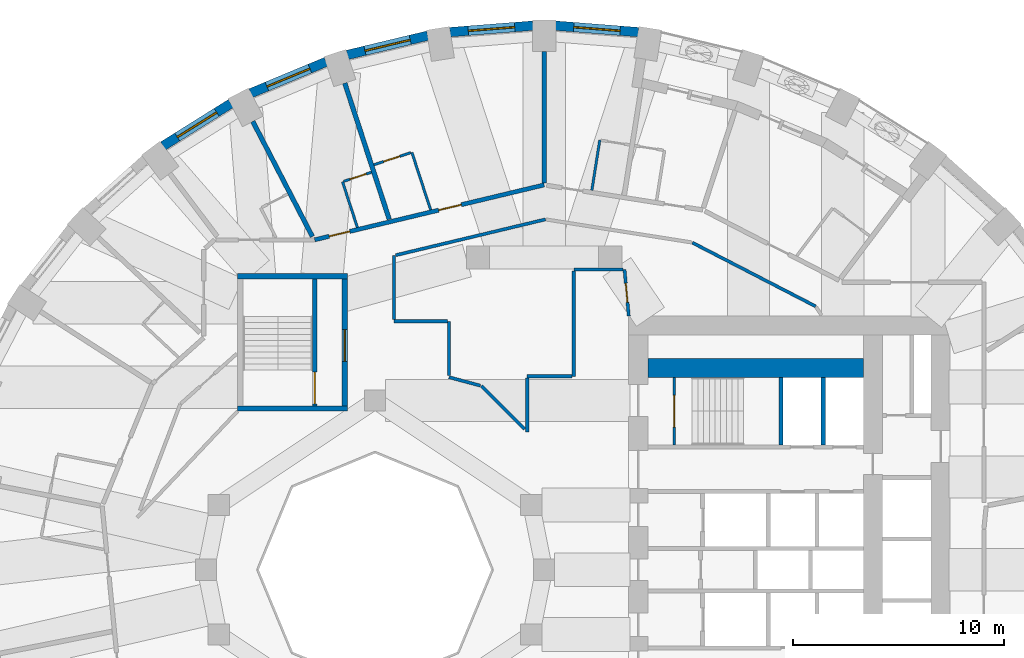
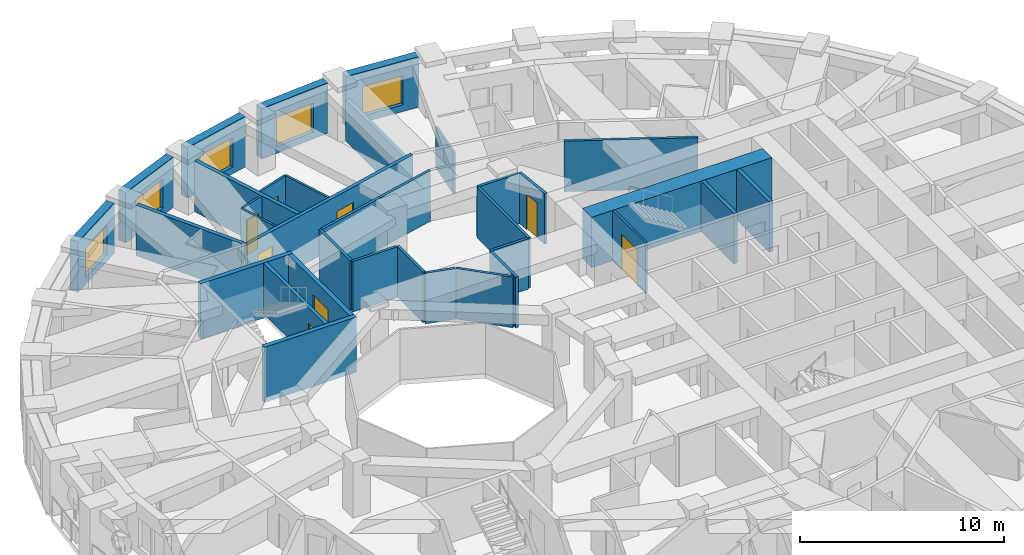
# One storey, part 8 of 13: 34 walls, 8 doors, 5 windows, 13 openings.
"""IFC4 building model written with IfcOpenShell, lengths in metres."""

from ifc_helpers import new_model, si_unit, direction, frame, frame_2d, origin, place, context, subcontext, project, spatial, rectangle, extrude, material, layer, layer_set, type_object, element, fill, save


model = new_model("IFC4")

# Units and contexts
model_context = context("Model", 3, precision=1e-05, world=origin(), true_north=direction((0.0, 1.0)))
body_context = subcontext(model_context, "Body", "Model", "MODEL_VIEW")
ifc_project = project(units=[si_unit("LENGTHUNIT", "METRE"), si_unit("AREAUNIT", "SQUARE_METRE"), si_unit("VOLUMEUNIT", "CUBIC_METRE"), si_unit("PLANEANGLEUNIT", "RADIAN"), si_unit("MASSUNIT", "GRAM", prefix="KILO")], contexts=[model_context])

# Site, building, storey
site_placement = place(None, origin())
site = spatial("IfcSite", under=ifc_project, at=site_placement, CompositionType="ELEMENT")
building_placement = place(site_placement, origin())
building = spatial("IfcBuilding", under=site, at=building_placement, Name="Taillehof Tower", CompositionType="ELEMENT")
storey_placement = place(building_placement, frame((0.0, 0.0, 64.60009765625)))
storey = spatial("IfcBuildingStorey", under=building, at=storey_placement, Name="L17", CompositionType="ELEMENT", Elevation=64.60009765625)

# Wall, opening, window
ifc_material_1 = material(Name="Brick masonry", Category="masonry")
ifc_layer_1 = layer(ifc_material_1, 0.449951171875)
ifc_layer_set_1 = layer_set([ifc_layer_1], Name="Brick infill wall 450")
wall_type_1 = type_object("IfcWallType", Name="Brick infill wall 450", PredefinedType="SOLIDWALL", material=ifc_layer_set_1)
wall_1_placement = place(storey_placement, frame((4.457275390625, 25.42578125, 0.0), z_axis=(0.0, 0.0, 1.0), x_axis=(-0.996955972145, 0.077966592873, 0.0)))
wall_1 = element("IfcWall", 1, at=wall_1_placement, inside=storey, type_object=wall_type_1, Name="Brick wall L17 bay 9", PredefinedType="SOLIDWALL", context=body_context, shape_type="SweptSolid", body=[
    extrude(rectangle(XDim=3.939208984375, YDim=0.449951171875, at=frame_2d((1.9697265625, 0.0))), origin(), (0.0, 0.0, 1.0), 3.02001953125),
])
opening_1_placement = place(wall_1_placement, frame((0.86962890625, 0.0, 0.39990234375)))
opening_1 = element("IfcOpeningElement", 2, at=opening_1_placement, cuts=wall_1, Name="Opening W1", PredefinedType="OPENING", context=body_context, shape_type="SweptSolid", body=[
    extrude(rectangle(XDim=2.199951171875, YDim=1.75, at=frame_2d((1.10009765625, 0.875))), frame((0.0, 0.23486328125, 0.0), z_axis=(0.0, -1.0, 0.0), x_axis=(1.0, 0.0, 0.0)), (0.0, 0.0, 1.0), 0.469970703125),
])
ifc_material_2 = material(Name="Aluminium window frame with clear double glazing", Category="aluminium")
window_type = type_object("IfcWindowType", Name="Deep-set window 2200x1750", PartitioningType="SINGLE_PANEL", PredefinedType="WINDOW", material=ifc_material_2)
window_1_placement = place(opening_1_placement, origin())
window_1 = element("IfcWindow", 3, at=window_1_placement, inside=storey, type_object=window_type, Name="W1", OverallHeight=1.75, OverallWidth=2.199951171875, PartitioningType="SINGLE_PANEL", PredefinedType="WINDOW", context=body_context, shape_type="SweptSolid", body=[
    extrude(rectangle(XDim=2.199951171875, YDim=1.75, at=frame_2d((1.10009765625, 0.875))), frame((0.0, 0.034912109375, 0.0), z_axis=(0.0, -1.0, 0.0), x_axis=(1.0, 0.0, 0.0)), (0.0, 0.0, 1.0), 0.06005859375),
])
fill(opening_1, window_1)

wall_2_placement = place(storey_placement, frame((-0.530029296875, 25.73291015625, 0.0), z_axis=(0.0, 0.0, 1.0), x_axis=(-0.996955972145, -0.077966592873, 0.0)))
wall_2 = element("IfcWall", 4, at=wall_2_placement, inside=storey, type_object=wall_type_1, Name="Brick wall L17 bay 10", PredefinedType="SOLIDWALL", context=body_context, shape_type="SweptSolid", body=[
    extrude(rectangle(XDim=3.939208984375, YDim=0.449951171875, at=frame_2d((1.9697265625, 0.0))), origin(), (0.0, 0.0, 1.0), 3.02001953125),
])
opening_2_placement = place(wall_2_placement, frame((0.86962890625, 0.0, 0.39990234375)))
opening_2 = element("IfcOpeningElement", 5, at=opening_2_placement, cuts=wall_2, Name="Opening W1", PredefinedType="OPENING", context=body_context, shape_type="SweptSolid", body=[
    extrude(rectangle(XDim=2.199951171875, YDim=1.75, at=frame_2d((1.10009765625, 0.875))), frame((0.0, 0.23486328125, 0.0), z_axis=(0.0, -1.0, 0.0), x_axis=(1.0, 0.0, 0.0)), (0.0, 0.0, 1.0), 0.469970703125),
])
window_2_placement = place(opening_2_placement, origin())
window_2 = element("IfcWindow", 6, at=window_2_placement, inside=storey, type_object=window_type, Name="W1", OverallHeight=1.75, OverallWidth=2.199951171875, PartitioningType="SINGLE_PANEL", PredefinedType="WINDOW", context=body_context, shape_type="SweptSolid", body=[
    extrude(rectangle(XDim=2.199951171875, YDim=1.75, at=frame_2d((1.10009765625, 0.875))), frame((0.0, 0.034912109375, 0.0), z_axis=(0.0, -1.0, 0.0), x_axis=(1.0, 0.0, 0.0)), (0.0, 0.0, 1.0), 0.06005859375),
])
fill(opening_2, window_2)

wall_3_placement = place(storey_placement, frame((-5.50439453125, 25.260498046875, 0.0), z_axis=(0.0, 0.0, 1.0), x_axis=(-0.972496561493, -0.232917233979, 0.0)))
wall_3 = element("IfcWall", 7, at=wall_3_placement, inside=storey, type_object=wall_type_1, Name="Brick wall L17 bay 11", PredefinedType="SOLIDWALL", context=body_context, shape_type="SweptSolid", body=[
    extrude(rectangle(XDim=3.910888671875, YDim=0.449951171875, at=frame_2d((1.95556640625, 0.0))), origin(), (0.0, 0.0, 1.0), 3.02001953125),
])
opening_3_placement = place(wall_3_placement, frame((0.855224609375, 0.0, 0.39990234375)))
opening_3 = element("IfcOpeningElement", 8, at=opening_3_placement, cuts=wall_3, Name="Opening W1", PredefinedType="OPENING", context=body_context, shape_type="SweptSolid", body=[
    extrude(rectangle(XDim=2.199951171875, YDim=1.75, at=frame_2d((1.10009765625, 0.875))), frame((0.0, 0.23486328125, 0.0), z_axis=(0.0, -1.0, 0.0), x_axis=(1.0, 0.0, 0.0)), (0.0, 0.0, 1.0), 0.469970703125),
])
window_3_placement = place(opening_3_placement, origin())
window_3 = element("IfcWindow", 9, at=window_3_placement, inside=storey, type_object=window_type, Name="W1", OverallHeight=1.75, OverallWidth=2.199951171875, PartitioningType="SINGLE_PANEL", PredefinedType="WINDOW", context=body_context, shape_type="SweptSolid", body=[
    extrude(rectangle(XDim=2.199951171875, YDim=1.75, at=frame_2d((1.10009765625, 0.875))), frame((0.0, 0.034912109375, 0.0), z_axis=(0.0, -1.0, 0.0), x_axis=(1.0, 0.0, 0.0)), (0.0, 0.0, 1.0), 0.06005859375),
])
fill(opening_3, window_3)

wall_4_placement = place(storey_placement, frame((-10.3154296875, 24.02099609375, 0.0), z_axis=(0.0, 0.0, 1.0), x_axis=(-0.923031964282, -0.384723267966, 0.0)))
wall_4 = element("IfcWall", 10, at=wall_4_placement, inside=storey, type_object=wall_type_1, Name="Brick wall L17 bay 12", PredefinedType="SOLIDWALL", context=body_context, shape_type="SweptSolid", body=[
    extrude(rectangle(XDim=3.8564453125, YDim=0.449951171875, at=frame_2d((1.92822265625, 0.0))), origin(), (0.0, 0.0, 1.0), 3.02001953125),
])
opening_4_placement = place(wall_4_placement, frame((0.828125, 0.0, 0.39990234375)))
opening_4 = element("IfcOpeningElement", 11, at=opening_4_placement, cuts=wall_4, Name="Opening W1", PredefinedType="OPENING", context=body_context, shape_type="SweptSolid", body=[
    extrude(rectangle(XDim=2.199951171875, YDim=1.75, at=frame_2d((1.10009765625, 0.875))), frame((0.0, 0.23486328125, 0.0), z_axis=(0.0, -1.0, 0.0), x_axis=(1.0, 0.0, 0.0)), (0.0, 0.0, 1.0), 0.469970703125),
])
window_4_placement = place(opening_4_placement, origin())
window_4 = element("IfcWindow", 12, at=window_4_placement, inside=storey, type_object=window_type, Name="W1", OverallHeight=1.75, OverallWidth=2.199951171875, PartitioningType="SINGLE_PANEL", PredefinedType="WINDOW", context=body_context, shape_type="SweptSolid", body=[
    extrude(rectangle(XDim=2.199951171875, YDim=1.75, at=frame_2d((1.10009765625, 0.875))), frame((0.0, 0.034912109375, 0.0), z_axis=(0.0, -1.0, 0.0), x_axis=(1.0, 0.0, 0.0)), (0.0, 0.0, 1.0), 0.06005859375),
])
fill(opening_4, window_4)

wall_5_placement = place(storey_placement, frame((-14.81689453125, 22.050537109375, 0.0), z_axis=(0.0, 0.0, 1.0), x_axis=(-0.847635480093, -0.530579016629, 0.0)))
wall_5 = element("IfcWall", 13, at=wall_5_placement, inside=storey, type_object=wall_type_1, Name="Brick wall L17 bay 13", PredefinedType="SOLIDWALL", context=body_context, shape_type="SweptSolid", body=[
    extrude(rectangle(XDim=3.782470703125, YDim=0.449951171875, at=frame_2d((1.89111328125, 0.0))), origin(), (0.0, 0.0, 1.0), 3.02001953125),
])
opening_5_placement = place(wall_5_placement, frame((0.791259765625, 0.0, 0.39990234375)))
opening_5 = element("IfcOpeningElement", 14, at=opening_5_placement, cuts=wall_5, Name="Opening W1", PredefinedType="OPENING", context=body_context, shape_type="SweptSolid", body=[
    extrude(rectangle(XDim=2.199951171875, YDim=1.75, at=frame_2d((1.10009765625, 0.875))), frame((0.0, 0.23486328125, 0.0), z_axis=(0.0, -1.0, 0.0), x_axis=(1.0, 0.0, 0.0)), (0.0, 0.0, 1.0), 0.469970703125),
])
window_5_placement = place(opening_5_placement, origin())
window_5 = element("IfcWindow", 15, at=window_5_placement, inside=storey, type_object=window_type, Name="W1", OverallHeight=1.75, OverallWidth=2.199951171875, PartitioningType="SINGLE_PANEL", PredefinedType="WINDOW", context=body_context, shape_type="SweptSolid", body=[
    extrude(rectangle(XDim=2.199951171875, YDim=1.75, at=frame_2d((1.10009765625, 0.875))), frame((0.0, 0.034912109375, 0.0), z_axis=(0.0, -1.0, 0.0), x_axis=(1.0, 0.0, 0.0)), (0.0, 0.0, 1.0), 0.06005859375),
])
fill(opening_5, window_5)

# Wall, openings, doors
ifc_material_3 = material(Name="Gypsum board on steel studs, two layers each side", Category="steel")
ifc_layer_2 = layer(ifc_material_3, 0.199951171875)
ifc_layer_set_2 = layer_set([ifc_layer_2], Name="Compartment wall corridor 200")
wall_type_2 = type_object("IfcWallType", Name="Compartment wall corridor 200", PredefinedType="PARTITIONING", material=ifc_layer_set_2)
wall_6_placement = place(storey_placement, frame((-10.8515625, 15.604736328125, 0.0), z_axis=(0.0, 0.0, 1.0), x_axis=(0.972573296372, 0.232596610431, 0.0)))
wall_6 = element("IfcWall", 16, at=wall_6_placement, inside=storey, type_object=wall_type_2, Name="Compartment wall", PredefinedType="PARTITIONING", context=body_context, shape_type="SweptSolid", body=[
    extrude(rectangle(XDim=11.157470703125, YDim=0.199951171875, at=frame_2d((5.57861328125, 0.0))), origin(), (0.0, 0.0, 1.0), 3.02001953125),
])
opening_6_placement = place(wall_6_placement, frame((6.029052734375, 0.0, 0.0)))
opening_6 = element("IfcOpeningElement", 17, at=opening_6_placement, cuts=wall_6, Name="Opening D1746", PredefinedType="OPENING", context=body_context, shape_type="SweptSolid", body=[
    extrude(rectangle(XDim=1.10009765625, YDim=2.10009765625, at=frame_2d((0.550048828125, 1.050048828125))), frame((0.0, 0.10986328125, 0.0), z_axis=(0.0, -1.0, 0.0), x_axis=(1.0, 0.0, 0.0)), (0.0, 0.0, 1.0), 0.219970703125),
])
opening_7_placement = place(wall_6_placement, frame((0.705078125, 0.0, 0.0)))
opening_7 = element("IfcOpeningElement", 18, at=opening_7_placement, cuts=wall_6, Name="Opening D1748", PredefinedType="OPENING", context=body_context, shape_type="SweptSolid", body=[
    extrude(rectangle(XDim=1.0, YDim=2.10009765625, at=frame_2d((0.5, 1.050048828125))), frame((0.0, 0.10986328125, 0.0), z_axis=(0.0, -1.0, 0.0), x_axis=(1.0, 0.0, 0.0)), (0.0, 0.0, 1.0), 0.219970703125),
])
ifc_material_4 = material(Name="Timber door leaf in steel frame", Category="steel")
door_type_1 = type_object("IfcDoorType", Name="Guest room door EI 30 1000 x 2100", OperationType="SINGLE_SWING_LEFT", PredefinedType="DOOR", material=ifc_material_4)
door_1_placement = place(opening_7_placement, origin())
door_1 = element("IfcDoor", 19, at=door_1_placement, inside=storey, type_object=door_type_1, Name="D1748", OperationType="SINGLE_SWING_RIGHT", OverallHeight=2.10009765625, OverallWidth=1.0, PredefinedType="DOOR", context=body_context, shape_type="SweptSolid", body=[
    extrude(rectangle(XDim=1.0, YDim=2.10009765625, at=frame_2d((0.5, 1.050048828125))), frame((0.0, 0.02490234375, 0.0), z_axis=(0.0, -1.0, 0.0), x_axis=(1.0, 0.0, 0.0)), (0.0, 0.0, 1.0), 0.050048828125),
])
fill(opening_7, door_1)
ifc_material_5 = material(Name="Timber door leaf in steel frame", Category="steel")
door_type_2 = type_object("IfcDoorType", Name="Suite entrance door EI 30 1100 x 2100", OperationType="SINGLE_SWING_LEFT", PredefinedType="DOOR", material=ifc_material_5)
door_2_placement = place(opening_6_placement, origin())
door_2 = element("IfcDoor", 20, at=door_2_placement, inside=storey, type_object=door_type_2, Name="D1746", OperationType="SINGLE_SWING_LEFT", OverallHeight=2.10009765625, OverallWidth=1.10009765625, PredefinedType="DOOR", context=body_context, shape_type="SweptSolid", body=[
    extrude(rectangle(XDim=1.10009765625, YDim=2.10009765625, at=frame_2d((0.550048828125, 1.050048828125))), frame((0.0, 0.02490234375, 0.0), z_axis=(0.0, -1.0, 0.0), x_axis=(1.0, 0.0, 0.0)), (0.0, 0.0, 1.0), 0.050048828125),
])
fill(opening_6, door_2)

# Walls
ifc_material_6 = material(Name="Gypsum board on double steel studs with mineral wool", Category="steel")
ifc_layer_3 = layer(ifc_material_6, 0.219970703125)
ifc_layer_set_3 = layer_set([ifc_layer_3], Name="Compartment wall guest room 220")
wall_type_3 = type_object("IfcWallType", Name="Compartment wall guest room 220", PredefinedType="PARTITIONING", material=ifc_layer_set_3)
wall_7_placement = place(storey_placement, frame((0.0, 24.5, 0.0), z_axis=(0.0, 0.0, 1.0), x_axis=(0.0, -1.0, 0.0)))
element("IfcWall", 21, at=wall_7_placement, inside=storey, type_object=wall_type_3, Name="Compartment wall", PredefinedType="PARTITIONING", context=body_context, shape_type="SweptSolid", body=[
    extrude(rectangle(XDim=6.199951171875, YDim=0.219970703125, at=frame_2d((3.10009765625, 0.0))), origin(), (0.0, 0.0, 1.0), 2.469970703125),
])
wall_8_placement = place(storey_placement, frame((-9.429443359375, 23.01416015625, 0.0), z_axis=(0.0, 0.0, 1.0), x_axis=(0.310223739243, -0.950663574357, 0.0)))
element("IfcWall", 22, at=wall_8_placement, inside=storey, type_object=wall_type_3, Name="Compartment wall", PredefinedType="PARTITIONING", context=body_context, shape_type="SweptSolid", body=[
    extrude(rectangle(XDim=6.777587890625, YDim=0.219970703125, at=frame_2d((3.388671875, 0.0))), origin(), (0.0, 0.0, 1.0), 3.02001953125),
])
wall_9_placement = place(storey_placement, frame((-13.7802734375, 21.201171875, 0.0), z_axis=(0.0, 0.0, 1.0), x_axis=(0.459699000582, -0.888074787878, 0.0)))
element("IfcWall", 23, at=wall_9_placement, inside=storey, type_object=wall_type_3, Name="Compartment wall", PredefinedType="PARTITIONING", context=body_context, shape_type="SweptSolid", body=[
    extrude(rectangle(XDim=6.134033203125, YDim=0.219970703125, at=frame_2d((3.06689453125, 0.0))), origin(), (0.0, 0.0, 1.0), 3.02001953125),
])

# Wall, opening, door
ifc_material_7 = material(Name="Gypsum board on steel studs, two layers each side", Category="steel")
ifc_layer_4 = layer(ifc_material_7, 0.14990234375)
ifc_layer_set_4 = layer_set([ifc_layer_4], Name="Compartment wall service room 150")
wall_type_4 = type_object("IfcWallType", Name="Compartment wall service room 150", PredefinedType="PARTITIONING", material=ifc_layer_set_4)
wall_10_placement = place(storey_placement, frame((4.0, 11.9990234375, 0.0), z_axis=(0.0, 0.0, 1.0), x_axis=(-0.090475982725, 0.995898637689, 0.0)))
wall_10 = element("IfcWall", 24, at=wall_10_placement, inside=storey, type_object=wall_type_4, Name="Compartment wall", PredefinedType="PARTITIONING", context=body_context, shape_type="SweptSolid", body=[
    extrude(rectangle(XDim=2.2099609375, YDim=0.14990234375, at=frame_2d((1.10498046875, 0.0))), origin(), (0.0, 0.0, 1.0), 3.02001953125),
])
opening_8_placement = place(wall_10_placement, frame((0.655029296875, 0.0, 0.0)))
opening_8 = element("IfcOpeningElement", 25, at=opening_8_placement, cuts=wall_10, Name="Opening D1779", PredefinedType="OPENING", context=body_context, shape_type="SweptSolid", body=[
    extrude(rectangle(XDim=0.89990234375, YDim=2.10009765625, at=frame_2d((0.449951171875, 1.050048828125))), frame((0.0, 0.0849609375, 0.0), z_axis=(0.0, -1.0, 0.0), x_axis=(1.0, 0.0, 0.0)), (0.0, 0.0, 1.0), 0.169921875),
])
ifc_material_8 = material(Name="Timber door leaf in steel frame", Category="steel")
door_type_3 = type_object("IfcDoorType", Name="Service room door EI 30 900 x 2100", OperationType="SINGLE_SWING_LEFT", PredefinedType="DOOR", material=ifc_material_8)
door_3_placement = place(opening_8_placement, origin())
door_3 = element("IfcDoor", 26, at=door_3_placement, inside=storey, type_object=door_type_3, Name="D1779", OperationType="SINGLE_SWING_RIGHT", OverallHeight=2.10009765625, OverallWidth=0.89990234375, PredefinedType="DOOR", context=body_context, shape_type="SweptSolid", body=[
    extrude(rectangle(XDim=0.89990234375, YDim=2.10009765625, at=frame_2d((0.449951171875, 1.050048828125))), frame((0.0, 0.02490234375, 0.0), z_axis=(0.0, -1.0, 0.0), x_axis=(1.0, 0.0, 0.0)), (0.0, 0.0, 1.0), 0.050048828125),
])
fill(opening_8, door_3)

# Walls
wall_11_placement = place(storey_placement, frame((3.719970703125, 14.199951171875, 0.0), z_axis=(0.0, 0.0, 1.0), x_axis=(-1.0, 0.0, 0.0)))
element("IfcWall", 27, at=wall_11_placement, inside=storey, type_object=wall_type_4, Name="Compartment wall", PredefinedType="PARTITIONING", context=body_context, shape_type="SweptSolid", body=[
    extrude(rectangle(XDim=2.320068359375, YDim=0.14990234375, at=frame_2d((1.16015625, 0.0))), origin(), (0.0, 0.0, 1.0), 3.02001953125),
])
wall_12_placement = place(storey_placement, frame((1.39990234375, 14.119873046875, 0.0), z_axis=(0.0, 0.0, 1.0), x_axis=(0.0, -1.0, 0.0)))
element("IfcWall", 28, at=wall_12_placement, inside=storey, type_object=wall_type_4, Name="Compartment wall", PredefinedType="PARTITIONING", context=body_context, shape_type="SweptSolid", body=[
    extrude(rectangle(XDim=4.969970703125, YDim=0.14990234375, at=frame_2d((2.48486328125, 0.0))), origin(), (0.0, 0.0, 1.0), 3.02001953125),
])
wall_13_placement = place(storey_placement, frame((1.31982421875, 9.14990234375, 0.0), z_axis=(0.0, 0.0, 1.0), x_axis=(-1.0, 0.0, 0.0)))
element("IfcWall", 29, at=wall_13_placement, inside=storey, type_object=wall_type_4, Name="Compartment wall", PredefinedType="PARTITIONING", context=body_context, shape_type="SweptSolid", body=[
    extrude(rectangle(XDim=2.119873046875, YDim=0.14990234375, at=frame_2d((1.06005859375, 0.0))), origin(), (0.0, 0.0, 1.0), 3.02001953125),
])
wall_14_placement = place(storey_placement, frame((-0.800048828125, 9.06982421875, 0.0), z_axis=(0.0, 0.0, 1.0), x_axis=(0.0, -1.0, 0.0)))
element("IfcWall", 30, at=wall_14_placement, inside=storey, type_object=wall_type_4, Name="Compartment wall", PredefinedType="PARTITIONING", context=body_context, shape_type="SweptSolid", body=[
    extrude(rectangle(XDim=2.552001953125, YDim=0.14990234375, at=frame_2d((1.27587890625, 0.0))), origin(), (0.0, 0.0, 1.0), 3.02001953125),
])
wall_15_placement = place(storey_placement, frame((-0.927490234375, 6.645263671875, 0.0), z_axis=(0.0, 0.0, 1.0), x_axis=(-0.707106781187, 0.707106781187, 0.0)))
element("IfcWall", 31, at=wall_15_placement, inside=storey, type_object=wall_type_4, Name="Compartment wall", PredefinedType="PARTITIONING", context=body_context, shape_type="SweptSolid", body=[
    extrude(rectangle(XDim=2.9013671875, YDim=0.14990234375, at=frame_2d((1.45068359375, 0.0))), origin(), (0.0, 0.0, 1.0), 3.02001953125),
])
wall_16_placement = place(storey_placement, frame((-3.017578125, 8.70703125, 0.0), z_axis=(0.0, 0.0, 1.0), x_axis=(-0.965925329025, 0.25882090091, 0.0)))
element("IfcWall", 32, at=wall_16_placement, inside=storey, type_object=wall_type_4, Name="Compartment wall", PredefinedType="PARTITIONING", context=body_context, shape_type="SweptSolid", body=[
    extrude(rectangle(XDim=1.53466796875, YDim=0.14990234375, at=frame_2d((0.767333984375, 0.0))), origin(), (0.0, 0.0, 1.0), 3.02001953125),
])
wall_17_placement = place(storey_placement, frame((-4.5, 9.184326171875, 0.0), z_axis=(0.0, 0.0, 1.0), x_axis=(0.0, 1.0, 0.0)))
element("IfcWall", 33, at=wall_17_placement, inside=storey, type_object=wall_type_4, Name="Compartment wall", PredefinedType="PARTITIONING", context=body_context, shape_type="SweptSolid", body=[
    extrude(rectangle(XDim=2.565673828125, YDim=0.14990234375, at=frame_2d((1.28271484375, 0.0))), origin(), (0.0, 0.0, 1.0), 3.02001953125),
])
wall_18_placement = place(storey_placement, frame((-4.580078125, 11.75, 0.0), z_axis=(0.0, 0.0, 1.0), x_axis=(-1.0, 0.0, 0.0)))
element("IfcWall", 34, at=wall_18_placement, inside=storey, type_object=wall_type_4, Name="Compartment wall", PredefinedType="PARTITIONING", context=body_context, shape_type="SweptSolid", body=[
    extrude(rectangle(XDim=2.52001953125, YDim=0.14990234375, at=frame_2d((1.260009765625, 0.0))), origin(), (0.0, 0.0, 1.0), 3.02001953125),
])
wall_19_placement = place(storey_placement, frame((-7.10009765625, 11.830078125, 0.0), z_axis=(0.0, 0.0, 1.0), x_axis=(0.0, 1.0, 0.0)))
element("IfcWall", 35, at=wall_19_placement, inside=storey, type_object=wall_type_4, Name="Compartment wall", PredefinedType="PARTITIONING", context=body_context, shape_type="SweptSolid", body=[
    extrude(rectangle(XDim=3.026611328125, YDim=0.14990234375, at=frame_2d((1.51318359375, 0.0))), origin(), (0.0, 0.0, 1.0), 3.02001953125),
])
wall_20_placement = place(storey_placement, frame((-7.02197265625, 14.875244140625, 0.0), z_axis=(0.0, 0.0, 1.0), x_axis=(0.972565872543, 0.232627650043, 0.0)))
element("IfcWall", 36, at=wall_20_placement, inside=storey, type_object=wall_type_4, Name="Compartment wall", PredefinedType="PARTITIONING", context=body_context, shape_type="SweptSolid", body=[
    extrude(rectangle(XDim=7.28564453125, YDim=0.14990234375, at=frame_2d((3.642822265625, 0.0))), origin(), (0.0, 0.0, 1.0), 3.02001953125),
])
wall_21_placement = place(storey_placement, frame((7.011962890625, 15.46728515625, 0.0), z_axis=(0.0, 0.0, 1.0), x_axis=(0.888509096081, -0.458859004685, 0.0)))
element("IfcWall", 37, at=wall_21_placement, inside=storey, type_object=wall_type_4, Name="Compartment wall", PredefinedType="PARTITIONING", context=body_context, shape_type="SweptSolid", body=[
    extrude(rectangle(XDim=6.561279296875, YDim=0.14990234375, at=frame_2d((3.28076171875, 0.0))), origin(), (0.0, 0.0, 1.0), 3.02001953125),
])
ifc_material_9 = material(Name="Concrete C80/95", Category="concrete")
ifc_layer_5 = layer(ifc_material_9, 0.89990234375)
ifc_layer_set_5 = layer_set([ifc_layer_5], Name="Core wall C80/95 900")
wall_type_5 = type_object("IfcWallType", Name="Core wall C80/95 900", PredefinedType="SHEAR", material=ifc_layer_set_5)
wall_22_placement = place(storey_placement, frame((4.89990234375, 9.550048828125, 0.0), z_axis=(0.0, 0.0, 1.0), x_axis=(1.0, 0.0, 0.0)))
element("IfcWall", 38, at=wall_22_placement, inside=storey, type_object=wall_type_5, Name="Core wall CW06", PredefinedType="SHEAR", context=body_context, shape_type="SweptSolid", body=[
    extrude(rectangle(XDim=10.2001953125, YDim=0.89990234375, at=frame_2d((5.10009765625, 0.0))), origin(), (0.0, 0.0, 1.0), 3.02001953125),
])
ifc_material_10 = material(Name="Gypsum board on steel studs, moisture resistant", Category="steel")
ifc_layer_6 = layer(ifc_material_10, 0.1201171875)
ifc_layer_set_6 = layer_set([ifc_layer_6], Name="En-suite wall 120")
wall_type_6 = type_object("IfcWallType", Name="En-suite wall 120", PredefinedType="PARTITIONING", material=ifc_layer_set_6)
wall_23_placement = place(storey_placement, frame((2.255615234375, 17.9453125, 0.0), z_axis=(0.0, 0.0, 1.0), x_axis=(0.156114026572, 0.987739039781, 0.0)))
element("IfcWall", 39, at=wall_23_placement, inside=storey, type_object=wall_type_6, Name="En-suite wall", PredefinedType="PARTITIONING", context=body_context, shape_type="SweptSolid", body=[
    extrude(rectangle(XDim=2.400634765625, YDim=0.1201171875, at=frame_2d((1.2001953125, 0.0))), origin(), (0.0, 0.0, 1.0), 2.469970703125),
])
wall_24_placement = place(storey_placement, frame((-5.369140625, 17.018798828125, 0.0), z_axis=(0.0, 0.0, 1.0), x_axis=(-0.310231838646, 0.950660931295, 0.0)))
element("IfcWall", 40, at=wall_24_placement, inside=storey, type_object=wall_type_6, Name="En-suite wall", PredefinedType="PARTITIONING", context=body_context, shape_type="SweptSolid", body=[
    extrude(rectangle(XDim=2.861328125, YDim=0.1201171875, at=frame_2d((1.4306640625, 0.0))), origin(), (0.0, 0.0, 1.0), 3.02001953125),
])
wall_25_placement = place(storey_placement, frame((-8.8330078125, 16.190185546875, 0.0), z_axis=(0.0, 0.0, 1.0), x_axis=(-0.310231525188, 0.950661033586, 0.0)))
element("IfcWall", 41, at=wall_25_placement, inside=storey, type_object=wall_type_6, Name="En-suite wall", PredefinedType="PARTITIONING", context=body_context, shape_type="SweptSolid", body=[
    extrude(rectangle(XDim=2.2744140625, YDim=0.1201171875, at=frame_2d((1.13720703125, 0.0))), origin(), (0.0, 0.0, 1.0), 3.02001953125),
])

# Wall, opening, door
wall_26_placement = place(storey_placement, frame((-6.31396484375, 19.720458984375, 0.0), z_axis=(0.0, 0.0, 1.0), x_axis=(-0.950639191072, -0.310298450524, 0.0)))
wall_26 = element("IfcWall", 42, at=wall_26_placement, inside=storey, type_object=wall_type_6, Name="En-suite wall", PredefinedType="PARTITIONING", context=body_context, shape_type="SweptSolid", body=[
    extrude(rectangle(XDim=1.830078125, YDim=0.1201171875, at=frame_2d((0.9150390625, 0.0))), origin(), (0.0, 0.0, 1.0), 3.02001953125),
])
opening_9_placement = place(wall_26_placement, frame((0.5400390625, 0.0, 0.0)))
opening_9 = element("IfcOpeningElement", 43, at=opening_9_placement, cuts=wall_26, Name="Opening D1747", PredefinedType="OPENING", context=body_context, shape_type="SweptSolid", body=[
    extrude(rectangle(XDim=0.800048828125, YDim=2.10009765625, at=frame_2d((0.39990234375, 1.050048828125))), frame((0.0, 0.070068359375, 0.0), z_axis=(0.0, -1.0, 0.0), x_axis=(1.0, 0.0, 0.0)), (0.0, 0.0, 1.0), 0.14013671875),
])
ifc_material_11 = material(Name="Timber door leaf in steel frame", Category="steel")
door_type_4 = type_object("IfcDoorType", Name="En-suite door 800 x 2100", OperationType="SINGLE_SWING_LEFT", PredefinedType="DOOR", material=ifc_material_11)
door_4_placement = place(opening_9_placement, origin())
door_4 = element("IfcDoor", 44, at=door_4_placement, inside=storey, type_object=door_type_4, Name="D1747", OperationType="SINGLE_SWING_LEFT", OverallHeight=2.10009765625, OverallWidth=0.800048828125, PredefinedType="DOOR", context=body_context, shape_type="SweptSolid", body=[
    extrude(rectangle(XDim=0.800048828125, YDim=2.10009765625, at=frame_2d((0.39990234375, 1.050048828125))), frame((0.0, 0.02490234375, 0.0), z_axis=(0.0, -1.0, 0.0), x_axis=(1.0, 0.0, 0.0)), (0.0, 0.0, 1.0), 0.050048828125),
])
fill(opening_9, door_4)

wall_27_placement = place(storey_placement, frame((-9.4814453125, 18.37060546875, 0.0), z_axis=(0.0, 0.0, 1.0), x_axis=(0.950576687533, 0.310489872812, 0.0)))
wall_27 = element("IfcWall", 45, at=wall_27_placement, inside=storey, type_object=wall_type_6, Name="En-suite wall", PredefinedType="PARTITIONING", context=body_context, shape_type="SweptSolid", body=[
    extrude(rectangle(XDim=1.3798828125, YDim=0.1201171875, at=frame_2d((0.68994140625, 0.0))), origin(), (0.0, 0.0, 1.0), 3.02001953125),
])
opening_10_placement = place(wall_27_placement, frame((0.31494140625, 0.0, 0.0)))
opening_10 = element("IfcOpeningElement", 46, at=opening_10_placement, cuts=wall_27, Name="Opening D1749", PredefinedType="OPENING", context=body_context, shape_type="SweptSolid", body=[
    extrude(rectangle(XDim=0.800048828125, YDim=2.10009765625, at=frame_2d((0.39990234375, 1.050048828125))), frame((0.0, 0.070068359375, 0.0), z_axis=(0.0, -1.0, 0.0), x_axis=(1.0, 0.0, 0.0)), (0.0, 0.0, 1.0), 0.14013671875),
])
door_5_placement = place(opening_10_placement, origin())
door_5 = element("IfcDoor", 47, at=door_5_placement, inside=storey, type_object=door_type_4, Name="D1749", OperationType="SINGLE_SWING_RIGHT", OverallHeight=2.10009765625, OverallWidth=0.800048828125, PredefinedType="DOOR", context=body_context, shape_type="SweptSolid", body=[
    extrude(rectangle(XDim=0.800048828125, YDim=2.10009765625, at=frame_2d((0.39990234375, 1.050048828125))), frame((0.0, 0.02490234375, 0.0), z_axis=(0.0, -1.0, 0.0), x_axis=(1.0, 0.0, 0.0)), (0.0, 0.0, 1.0), 0.050048828125),
])
fill(opening_10, door_5)

# Walls
ifc_material_12 = material(Name="Concrete C50/60", Category="concrete")
ifc_layer_7 = layer(ifc_material_12, 0.199951171875)
ifc_layer_set_7 = layer_set([ifc_layer_7], Name="Shaft wall C50/60 200")
wall_type_7 = type_object("IfcWallType", Name="Shaft wall C50/60 200", PredefinedType="SHEAR", material=ifc_layer_set_7)
for number, where, z_axis, x_axis, name in (
    (48, (11.199951171875, 5.89990234375, 0.0), (0.0, 0.0, 1.0), (0.0, 1.0, 0.0), "Shaft wall SW"),
    (49, (13.199951171875, 5.89990234375, 0.0), (0.0, 0.0, 1.0), (0.0, 1.0, 0.0), "Shaft wall SW"),
):
    element("IfcWall", number, at=place(storey_placement, frame(where, z_axis=z_axis, x_axis=x_axis)), inside=storey, type_object=wall_type_7, Name=name, PredefinedType="SHEAR", context=body_context, shape_type="SweptSolid", body=[
        extrude(rectangle(XDim=3.2001953125, YDim=0.199951171875, at=frame_2d((1.60009765625, 0.0))), origin(), (0.0, 0.0, 1.0), 3.02001953125),
    ])

# Wall, opening, door
wall_28_placement = place(storey_placement, frame((-10.85009765625, 7.75, 0.0), z_axis=(0.0, 0.0, 1.0), x_axis=(0.0, 1.0, 0.0)))
wall_28 = element("IfcWall", 50, at=wall_28_placement, inside=storey, type_object=wall_type_7, Name="Shaft wall SW", PredefinedType="SHEAR", context=body_context, shape_type="SweptSolid", body=[
    extrude(rectangle(XDim=6.0, YDim=0.199951171875, at=frame_2d((3.0, 0.0))), origin(), (0.0, 0.0, 1.0), 3.02001953125),
])
opening_11_placement = place(wall_28_placement, frame((0.10009765625, 0.0, 0.0)))
opening_11 = element("IfcOpeningElement", 51, at=opening_11_placement, cuts=wall_28, Name="Opening D1712", PredefinedType="OPENING", context=body_context, shape_type="SweptSolid", body=[
    extrude(rectangle(XDim=1.5, YDim=2.10009765625, at=frame_2d((0.75, 1.050048828125))), frame((0.0, 0.10986328125, 0.0), z_axis=(0.0, -1.0, 0.0), x_axis=(1.0, 0.0, 0.0)), (0.0, 0.0, 1.0), 0.219970703125),
])
ifc_material_13 = material(Name="Steel-faced fire door", Category="steel")
door_type_5 = type_object("IfcDoorType", Name="Stair door 1500x2100", OperationType="DOUBLE_DOOR_SINGLE_SWING", PredefinedType="DOOR", material=ifc_material_13)
door_6_placement = place(opening_11_placement, origin())
door_6 = element("IfcDoor", 52, at=door_6_placement, inside=storey, type_object=door_type_5, Name="Stair lobby door S3", OperationType="DOUBLE_DOOR_SINGLE_SWING", OverallHeight=2.10009765625, OverallWidth=1.5, PredefinedType="DOOR", context=body_context, shape_type="SweptSolid", body=[
    extrude(rectangle(XDim=1.5, YDim=2.10009765625, at=frame_2d((0.75, 1.050048828125))), frame((0.0, 0.02490234375, 0.0), z_axis=(0.0, -1.0, 0.0), x_axis=(1.0, 0.0, 0.0)), (0.0, 0.0, 1.0), 0.050048828125),
])
fill(opening_11, door_6)

ifc_material_14 = material(Name="Concrete C50/60", Category="concrete")
ifc_layer_8 = layer(ifc_material_14, 0.1201171875)
ifc_layer_set_8 = layer_set([ifc_layer_8], Name="Stair lobby wall C50/60 120")
wall_type_8 = type_object("IfcWallType", Name="Stair lobby wall C50/60 120", PredefinedType="SHEAR", material=ifc_layer_set_8)
wall_29_placement = place(storey_placement, frame((6.159912109375, 5.89990234375, 0.0), z_axis=(0.0, 0.0, 1.0), x_axis=(0.0, 1.0, 0.0)))
wall_29 = element("IfcWall", 53, at=wall_29_placement, inside=storey, type_object=wall_type_8, Name="Compartment wall SW", PredefinedType="SHEAR", context=body_context, shape_type="SweptSolid", body=[
    extrude(rectangle(XDim=3.2001953125, YDim=0.1201171875, at=frame_2d((1.60009765625, 0.0))), origin(), (0.0, 0.0, 1.0), 3.02001953125),
])
opening_12_placement = place(wall_29_placement, frame((0.85009765625, 0.0, 0.0)))
opening_12 = element("IfcOpeningElement", 54, at=opening_12_placement, cuts=wall_29, Name="Opening D1710", PredefinedType="OPENING", context=body_context, shape_type="SweptSolid", body=[
    extrude(rectangle(XDim=1.5, YDim=2.10009765625, at=frame_2d((0.75, 1.050048828125))), frame((0.0, 0.070068359375, 0.0), z_axis=(0.0, -1.0, 0.0), x_axis=(1.0, 0.0, 0.0)), (0.0, 0.0, 1.0), 0.14013671875),
])
door_7_placement = place(opening_12_placement, origin())
door_7 = element("IfcDoor", 55, at=door_7_placement, inside=storey, type_object=door_type_5, Name="Stair lobby door S1", OperationType="DOUBLE_DOOR_SINGLE_SWING", OverallHeight=2.10009765625, OverallWidth=1.5, PredefinedType="DOOR", context=body_context, shape_type="SweptSolid", body=[
    extrude(rectangle(XDim=1.5, YDim=2.10009765625, at=frame_2d((0.75, 1.050048828125))), frame((0.0, 0.02490234375, 0.0), z_axis=(0.0, -1.0, 0.0), x_axis=(1.0, 0.0, 0.0)), (0.0, 0.0, 1.0), 0.050048828125),
])
fill(opening_12, door_7)

ifc_material_15 = material(Name="Concrete C50/60", Category="concrete")
ifc_layer_9 = layer(ifc_material_15, 0.25)
ifc_layer_set_9 = layer_set([ifc_layer_9], Name="Stair wall C50/60 250")
wall_type_9 = type_object("IfcWallType", Name="Stair wall C50/60 250", PredefinedType="SHEAR", material=ifc_layer_set_9)
wall_30_placement = place(storey_placement, frame((-9.425048828125, 7.75, -0.280029296875), z_axis=(0.0, 0.0, 1.0), x_axis=(0.0, 1.0, 0.0)))
wall_30 = element("IfcWall", 56, at=wall_30_placement, inside=storey, type_object=wall_type_9, Name="Stair wall SC", PredefinedType="SHEAR", context=body_context, shape_type="SweptSolid", body=[
    extrude(rectangle(XDim=6.0, YDim=0.25, at=frame_2d((3.0, 0.0))), origin(), (0.0, 0.0, 1.0), 3.300048828125),
])
opening_13_placement = place(wall_30_placement, frame((2.10009765625, 0.0, 0.280029296875)))
opening_13 = element("IfcOpeningElement", 57, at=opening_13_placement, cuts=wall_30, Name="Opening D1719", PredefinedType="OPENING", context=body_context, shape_type="SweptSolid", body=[
    extrude(rectangle(XDim=1.5, YDim=2.10009765625, at=frame_2d((0.75, 1.050048828125))), frame((0.0, 0.135009765625, 0.0), z_axis=(0.0, -1.0, 0.0), x_axis=(1.0, 0.0, 0.0)), (0.0, 0.0, 1.0), 0.27001953125),
])
door_8_placement = place(opening_13_placement, origin())
door_8 = element("IfcDoor", 58, at=door_8_placement, inside=storey, type_object=door_type_5, Name="Stair door S3", OperationType="DOUBLE_DOOR_SINGLE_SWING", OverallHeight=2.10009765625, OverallWidth=1.5, PredefinedType="DOOR", context=body_context, shape_type="SweptSolid", body=[
    extrude(rectangle(XDim=1.5, YDim=2.10009765625, at=frame_2d((0.75, 1.050048828125))), frame((0.0, 0.02490234375, 0.0), z_axis=(0.0, -1.0, 0.0), x_axis=(1.0, 0.0, 0.0)), (0.0, 0.0, 1.0), 0.050048828125),
])
fill(opening_13, door_8)

# Walls
for number, where, z_axis, x_axis, name in (
    (59, (-14.5, 13.875, -0.280029296875), (0.0, 0.0, 1.0), (1.0, 0.0, 0.0), "Stair wall SC"),
    (60, (-14.5, 7.625, -0.280029296875), (0.0, 0.0, 1.0), (1.0, 0.0, 0.0), "Stair wall SC"),
):
    element("IfcWall", number, at=place(storey_placement, frame(where, z_axis=z_axis, x_axis=x_axis)), inside=storey, type_object=wall_type_9, Name=name, PredefinedType="SHEAR", context=body_context, shape_type="SweptSolid", body=[
        extrude(rectangle(XDim=5.199951171875, YDim=0.25, at=frame_2d((2.60009765625, 0.0))), origin(), (0.0, 0.0, 1.0), 3.300048828125),
    ])

save(model, "model.ifc")
